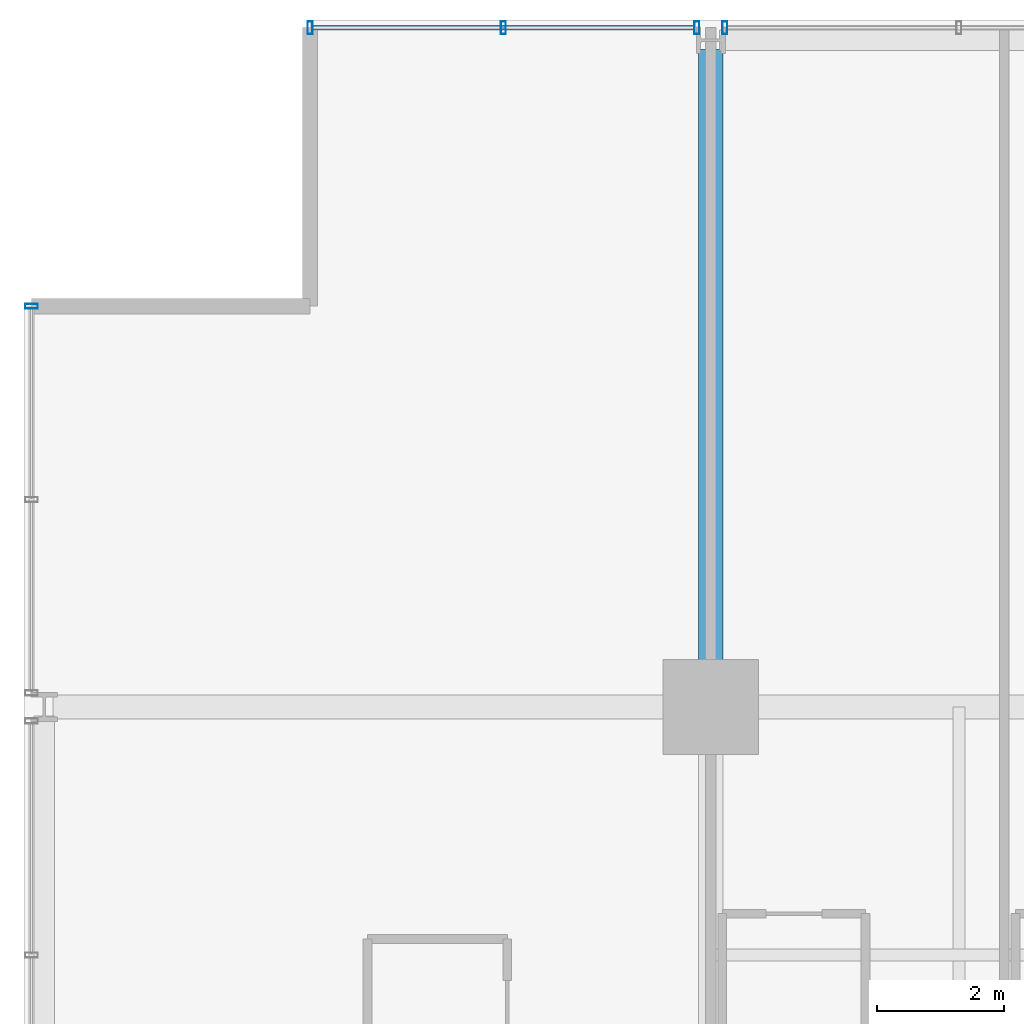
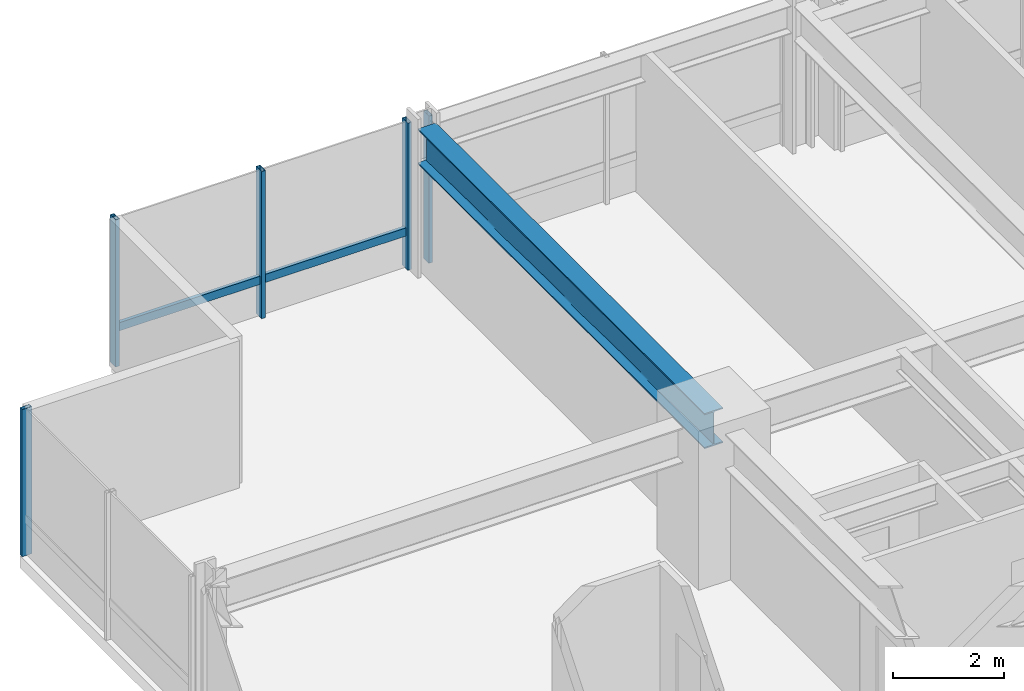
# One storey, part 20 of 35: 6 members, 1 beam, 3 elements without a shape of their own.
"""IFC4 building model written with IfcOpenShell, lengths in metres."""

from ifc_helpers import new_model, si_unit, direction, frame, origin, origin_2d, place, context, subcontext, project, spatial, hollow_rectangle, i_section, extrude, material, layer, layer_set, material_profile, profile_set, type_object, element, aggregate, save


model = new_model("IFC4")

# Units and contexts
model_context = context("Model", 3, precision=1e-05, world=origin(), true_north=direction((0.0, 1.0)))
body_context = subcontext(model_context, "Body", "Model", "MODEL_VIEW")
ifc_project = project(units=[si_unit("LENGTHUNIT", "METRE"), si_unit("AREAUNIT", "SQUARE_METRE"), si_unit("VOLUMEUNIT", "CUBIC_METRE"), si_unit("PLANEANGLEUNIT", "RADIAN"), si_unit("MASSUNIT", "GRAM", prefix="KILO")], contexts=[model_context])

# Site, building, storey
site_placement = place(None, origin())
site = spatial("IfcSite", under=ifc_project, at=site_placement, CompositionType="ELEMENT")
building_placement = place(site_placement, origin())
building = spatial("IfcBuilding", under=site, at=building_placement, Name="Drelvath Grand Hotel", CompositionType="ELEMENT")
storey_placement = place(building_placement, frame((0.0, 0.0, 98.800048828125)))
storey = spatial("IfcBuildingStorey", under=building, at=storey_placement, Name="L24", CompositionType="ELEMENT", Elevation=98.800048828125)

# Curtain wall, member
ifc_material_1 = material(Name="Champagne Bronze Anodised Aluminium Frame", Category="aluminium")
ifc_layer = layer(ifc_material_1, 0.199951171875)
ifc_layer_set = layer_set([ifc_layer], Name="Champagne Bronze Anodised Aluminium Frame")
curtain_wall_type = type_object("IfcCurtainWallType", Name="Stick Curtain Wall CW-03 Champagne Bronze Mid-Rise", PredefinedType="NOTDEFINED", material=ifc_layer_set)
curtain_wall_1_placement = place(storey_placement, origin())
curtain_wall_1 = element("IfcCurtainWall", 1, at=curtain_wall_1_placement, inside=storey, type_object=curtain_wall_type, Name="L24 CW-03 Curtain Wall CW03-L24-NW1", PredefinedType="NOTDEFINED")
ifc_material_profile_1 = material_profile(ifc_material_1, hollow_rectangle(XDim=0.074951171875, YDim=0.179931640625, WallThickness=0.0048828125, at=origin_2d()), Name="HSS180X75X5")
ifc_profile_set_1 = profile_set([ifc_material_profile_1], Name="Champagne Bronze Anodised Aluminium Frame")
member_type_1 = type_object("IfcMemberType", Name="Curtain Wall Horizontal Transom CW-03 HSS180X75X5", PredefinedType="USERDEFINED", material=ifc_profile_set_1)
member_1_placement = place(storey_placement, frame((-22.4599609375, 53.8798828125, 0.81005859375), z_axis=(1.0, 0.0, 0.0), x_axis=(0.0, 1.0, 0.0)))
member_1 = element("IfcMember", 2, at=member_1_placement, type_object=member_type_1, Name="CW03-L24-NW1 Sill Transom", ObjectType="TRANSOM", PredefinedType="USERDEFINED", context=body_context, shape_type="SweptSolid", body=[
    extrude(hollow_rectangle(XDim=0.074951171875, YDim=0.179931640625, WallThickness=0.0048828125, at=origin_2d()), origin(), (0.0, 0.0, 1.0), 6.000244140625),
])

curtain_wall_2_placement = place(storey_placement, origin())
curtain_wall_2 = element("IfcCurtainWall", 3, at=curtain_wall_2_placement, inside=storey, type_object=curtain_wall_type, Name="L24 CW-03 Curtain Wall CW03-L24-WN3", PredefinedType="NOTDEFINED")
ifc_material_profile_2 = material_profile(ifc_material_1, hollow_rectangle(XDim=0.080078125, YDim=0.199951171875, WallThickness=0.0048828125, at=origin_2d()), Name="HSS200X80X5")
ifc_profile_set_2 = profile_set([ifc_material_profile_2], Name="Champagne Bronze Anodised Aluminium Frame")
member_type_2 = type_object("IfcMemberType", Name="Curtain Wall Vertical Mullion CW-03 HSS200X80X5", PredefinedType="MULLION", material=ifc_profile_set_2)
member_2_placement = place(storey_placement, frame((-26.8798828125, 49.5, 0.0), z_axis=(0.0, 0.0, 1.0), x_axis=(0.0, 1.0, 0.0)))
member_2 = element("IfcMember", 4, at=member_2_placement, type_object=member_type_2, Name="CW03-L24-WN3 Mullion 3", PredefinedType="MULLION", context=body_context, shape_type="SweptSolid", body=[
    extrude(hollow_rectangle(XDim=0.080078125, YDim=0.199951171875, WallThickness=0.0048828125, at=origin_2d()), origin(), (0.0, 0.0, 1.0), 3.239990234375),
])
aggregate(curtain_wall_2, [member_2])

# Member
member_3_placement = place(storey_placement, frame((-22.5, 53.8798828125, 0.0), z_axis=(0.0, 0.0, 1.0), x_axis=(1.0, 0.0, 0.0)))
member_3 = element("IfcMember", 5, at=member_3_placement, type_object=member_type_2, Name="CW03-L24-NW1 Mullion 1", PredefinedType="MULLION", context=body_context, shape_type="SweptSolid", body=[
    extrude(hollow_rectangle(XDim=0.080078125, YDim=0.199951171875, WallThickness=0.0048828125, at=origin_2d()), origin(), (0.0, 0.0, 1.0), 3.239990234375),
])

member_4_placement = place(storey_placement, frame((-19.459716796875, 53.8798828125, 0.0), z_axis=(0.0, 0.0, 1.0), x_axis=(1.0, 0.0, 0.0)))
member_4 = element("IfcMember", 6, at=member_4_placement, type_object=member_type_2, Name="CW03-L24-NW1 Mullion 2", PredefinedType="MULLION", context=body_context, shape_type="SweptSolid", body=[
    extrude(hollow_rectangle(XDim=0.080078125, YDim=0.199951171875, WallThickness=0.0048828125, at=origin_2d()), origin(), (0.0, 0.0, 1.0), 3.239990234375),
])

member_5_placement = place(storey_placement, frame((-16.419677734375, 53.8798828125, 0.0), z_axis=(0.0, 0.0, 1.0), x_axis=(1.0, 0.0, 0.0)))
member_5 = element("IfcMember", 7, at=member_5_placement, type_object=member_type_2, Name="CW03-L24-NW1 Mullion 3", PredefinedType="MULLION", context=body_context, shape_type="SweptSolid", body=[
    extrude(hollow_rectangle(XDim=0.080078125, YDim=0.199951171875, WallThickness=0.0048828125, at=origin_2d()), origin(), (0.0, 0.0, 1.0), 3.239990234375),
])

aggregate(curtain_wall_1, [member_3, member_4, member_5, member_1])

# Curtain wall, member
curtain_wall_3_placement = place(storey_placement, origin())
curtain_wall_3 = element("IfcCurtainWall", 8, at=curtain_wall_3_placement, inside=storey, type_object=curtain_wall_type, Name="L24 CW-03 Curtain Wall CW03-L24-NW2", PredefinedType="NOTDEFINED")
member_6_placement = place(storey_placement, frame((-15.98046875, 53.8798828125, 0.0), z_axis=(0.0, 0.0, 1.0), x_axis=(1.0, 0.0, 0.0)))
member_6 = element("IfcMember", 9, at=member_6_placement, type_object=member_type_2, Name="CW03-L24-NW2 Mullion 1", PredefinedType="MULLION", context=body_context, shape_type="SweptSolid", body=[
    extrude(hollow_rectangle(XDim=0.080078125, YDim=0.199951171875, WallThickness=0.0048828125, at=origin_2d()), origin(), (0.0, 0.0, 1.0), 3.239990234375),
])
aggregate(curtain_wall_3, [member_6])

# Beam
ifc_material_2 = material(Name="Steel ASTM A992 Gr 50", Category="steel")
ifc_material_profile_3 = material_profile(ifc_material_2, i_section(OverallWidth=0.380615234375, OverallDepth=0.773193359375, WebThickness=0.0166015625, FlangeThickness=0.027099609375, FilletRadius=0.02490234375, at=origin_2d()), Name="W30X173")
ifc_profile_set_3 = profile_set([ifc_material_profile_3], Name="Steel ASTM A992 Gr 50")
beam_type = type_object("IfcBeamType", Name="Primary Floor Girder W30X173", PredefinedType="BEAM", material=ifc_profile_set_3)
beam_placement = place(storey_placement, frame((-16.199951171875, 43.199951171875, 2.853271484375), z_axis=(0.0, 1.0, 0.0), x_axis=(-1.0, 0.0, 0.0)))
element("IfcBeam", 10, at=beam_placement, inside=storey, type_object=beam_type, Name="L24 North Grid Girder 3", PredefinedType="BEAM", context=body_context, shape_type="SweptSolid", body=[
    extrude(i_section(OverallWidth=0.380615234375, OverallDepth=0.773193359375, WebThickness=0.0166015625, FlangeThickness=0.027099609375, FilletRadius=0.02490234375, at=origin_2d()), origin(), (0.0, 0.0, 1.0), 10.340087890625),
])

save(model, "model.ifc")
